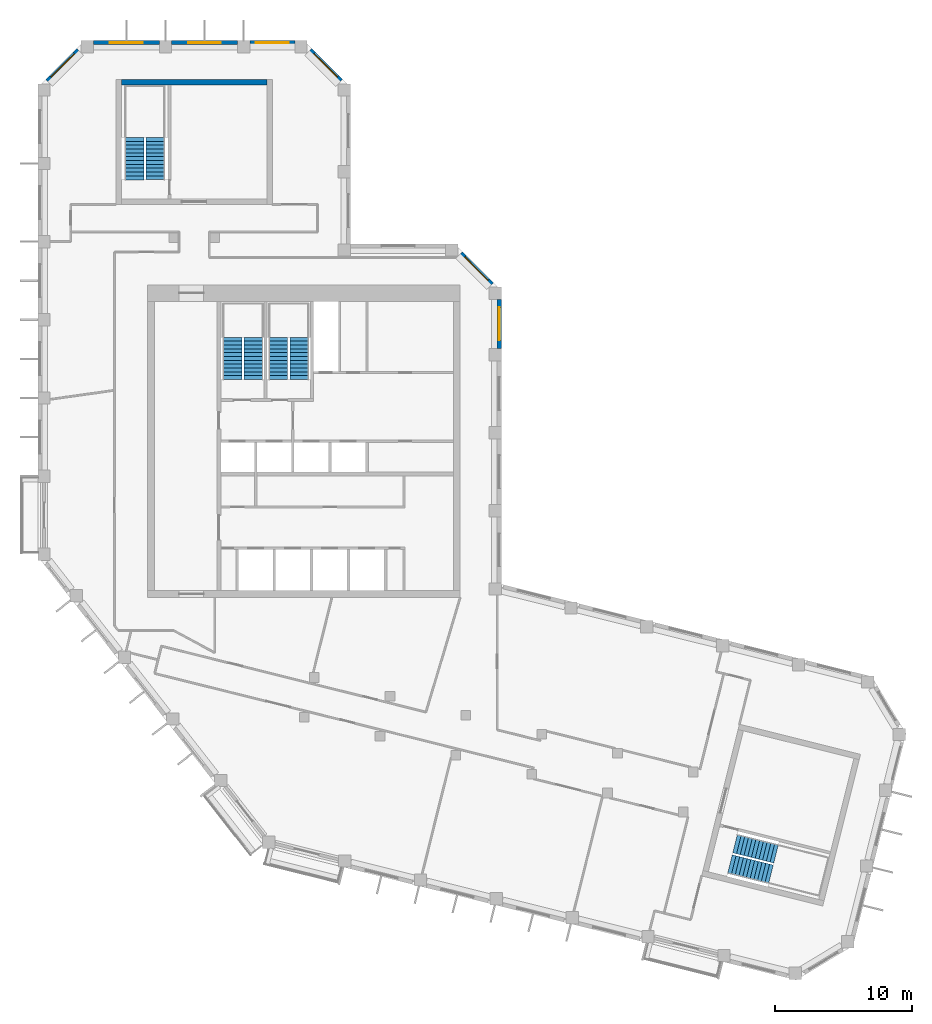
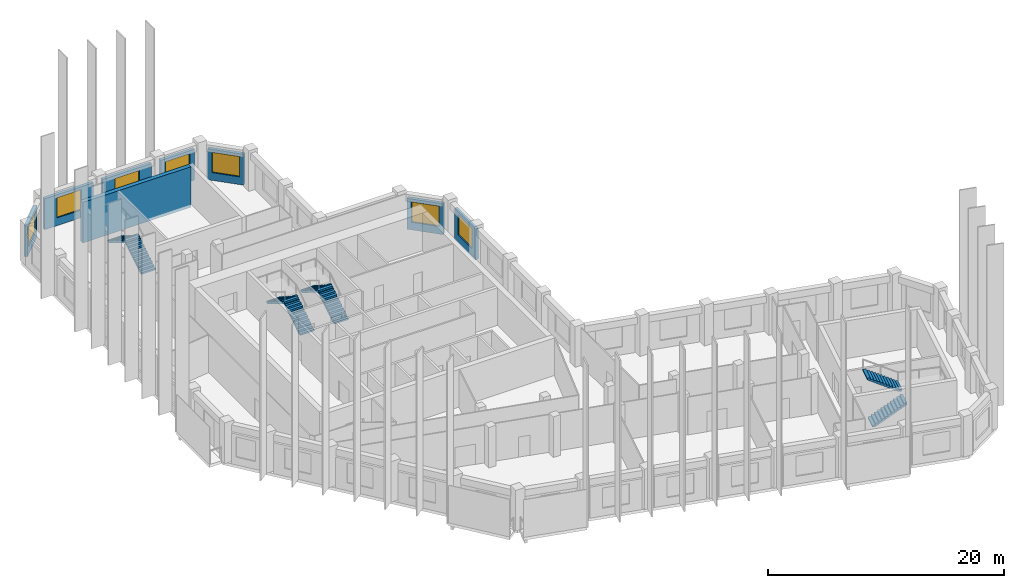
# One storey, part 7 of 8: 8 stair flights, 8 walls, 7 windows, 7 openings, 4 elements without a shape of their own.
"""IFC4 building model written with IfcOpenShell, lengths in metres."""

from ifc_helpers import new_model, si_unit, direction, frame, frame_2d, origin, place, context, subcontext, project, spatial, polyline, rectangle, outline, extrude, material, layer, layer_set, type_object, element, fill, aggregate, save


model = new_model("IFC4")

# Units and contexts
model_context = context("Model", 3, precision=1e-05, world=origin(), true_north=direction((0.0, 1.0)))
body_context = subcontext(model_context, "Body", "Model", "MODEL_VIEW")
ifc_project = project(units=[si_unit("LENGTHUNIT", "METRE"), si_unit("AREAUNIT", "SQUARE_METRE"), si_unit("VOLUMEUNIT", "CUBIC_METRE"), si_unit("PLANEANGLEUNIT", "RADIAN"), si_unit("MASSUNIT", "GRAM", prefix="KILO")], contexts=[model_context])

# Site, building, storey
site_placement = place(None, origin())
site = spatial("IfcSite", under=ifc_project, at=site_placement, CompositionType="ELEMENT")
building_placement = place(site_placement, origin())
building = spatial("IfcBuilding", under=site, at=building_placement, Name="Meshkara Civic Tower", CompositionType="ELEMENT")
storey_placement = place(building_placement, frame((0.0, 0.0, 354.0)))
storey = spatial("IfcBuildingStorey", under=building, at=storey_placement, Name="L81", CompositionType="ELEMENT", Elevation=354.0)

# Wall, opening, window
ifc_material_1 = material(Name="Insulated infill panel with bronze anodised aluminium cladding", Category="aluminium")
ifc_layer_1 = layer(ifc_material_1, 0.300048828125)
ifc_layer_set_1 = layer_set([ifc_layer_1], Name="EXTERNAL INFILL WALL 300")
wall_type_1 = type_object("IfcWallType", Name="EXTERNAL INFILL WALL 300", PredefinedType="SOLIDWALL", material=ifc_layer_set_1)
wall_1_placement = place(storey_placement, frame((33.64990234375, 32.26904296875, 0.0), z_axis=(0.0, 0.0, 1.0), x_axis=(0.0, 1.0, 0.0)))
wall_1 = element("IfcWall", 1, at=wall_1_placement, inside=storey, type_object=wall_type_1, Name="External wall", PredefinedType="SOLIDWALL", context=body_context, shape_type="SweptSolid", body=[
    extrude(rectangle(XDim=3.574951171875, YDim=0.300048828125, at=frame_2d((1.78759765625, 0.0))), origin(), (0.0, 0.0, 1.0), 3.199951171875),
])
opening_1_placement = place(wall_1_placement, frame((0.587890625, 0.0, 0.800048828125)))
opening_1 = element("IfcOpeningElement", 2, at=opening_1_placement, cuts=wall_1, Name="Opening W7", PredefinedType="OPENING", context=body_context, shape_type="SweptSolid", body=[
    extrude(rectangle(XDim=2.39990234375, YDim=2.10009765625, at=frame_2d((1.199951171875, 1.050048828125))), frame((0.0, 0.159912109375, 0.0), z_axis=(0.0, -1.0, 0.0), x_axis=(1.0, 0.0, 0.0)), (0.0, 0.0, 1.0), 0.320068359375),
])
ifc_material_2 = material(Name="Tinted double glazing", Category="glass")
window_type = type_object("IfcWindowType", Name="WINDOW 2400x2100", PartitioningType="DOUBLE_PANEL_VERTICAL", PredefinedType="WINDOW", material=ifc_material_2)
window_1_placement = place(opening_1_placement, origin())
window_1 = element("IfcWindow", 3, at=window_1_placement, inside=storey, type_object=window_type, Name="Window", OverallHeight=2.10009765625, OverallWidth=2.39990234375, PartitioningType="DOUBLE_PANEL_VERTICAL", PredefinedType="WINDOW", context=body_context, shape_type="SweptSolid", body=[
    extrude(rectangle(XDim=2.39990234375, YDim=2.10009765625, at=frame_2d((1.199951171875, 1.050048828125))), frame((0.0, 0.030029296875, 0.0), z_axis=(0.0, -1.0, 0.0), x_axis=(1.0, 0.0, 0.0)), (0.0, 0.0, 1.0), 0.06005859375),
])
fill(opening_1, window_1)

wall_2_placement = place(storey_placement, frame((33.112060546875, 36.9560546875, 0.0), z_axis=(0.0, 0.0, 1.0), x_axis=(-0.707145041435, 0.707068518868, 0.0)))
wall_2 = element("IfcWall", 4, at=wall_2_placement, inside=storey, type_object=wall_type_1, Name="External wall", PredefinedType="SOLIDWALL", context=body_context, shape_type="SweptSolid", body=[
    extrude(rectangle(XDim=3.1904296875, YDim=0.300048828125, at=frame_2d((1.59521484375, 0.0))), origin(), (0.0, 0.0, 1.0), 3.199951171875),
])
opening_2_placement = place(wall_2_placement, frame((0.39501953125, 0.0, 0.800048828125)))
opening_2 = element("IfcOpeningElement", 5, at=opening_2_placement, cuts=wall_2, Name="Opening W7", PredefinedType="OPENING", context=body_context, shape_type="SweptSolid", body=[
    extrude(rectangle(XDim=2.39990234375, YDim=2.10009765625, at=frame_2d((1.199951171875, 1.050048828125))), frame((0.0, 0.159912109375, 0.0), z_axis=(0.0, -1.0, 0.0), x_axis=(1.0, 0.0, 0.0)), (0.0, 0.0, 1.0), 0.320068359375),
])
window_2_placement = place(opening_2_placement, origin())
window_2 = element("IfcWindow", 6, at=window_2_placement, inside=storey, type_object=window_type, Name="Window", OverallHeight=2.10009765625, OverallWidth=2.39990234375, PartitioningType="DOUBLE_PANEL_VERTICAL", PredefinedType="WINDOW", context=body_context, shape_type="SweptSolid", body=[
    extrude(rectangle(XDim=2.39990234375, YDim=2.10009765625, at=frame_2d((1.199951171875, 1.050048828125))), frame((0.0, 0.030029296875, 0.0), z_axis=(0.0, -1.0, 0.0), x_axis=(1.0, 0.0, 0.0)), (0.0, 0.0, 1.0), 0.06005859375),
])
fill(opening_2, window_2)

wall_3_placement = place(storey_placement, frame((22.112060546875, 51.77587890625, 0.0), z_axis=(0.0, 0.0, 1.0), x_axis=(-0.707106781187, 0.707106781187, 0.0)))
wall_3 = element("IfcWall", 7, at=wall_3_placement, inside=storey, type_object=wall_type_1, Name="External wall", PredefinedType="SOLIDWALL", context=body_context, shape_type="SweptSolid", body=[
    extrude(rectangle(XDim=3.190673828125, YDim=0.300048828125, at=frame_2d((1.59521484375, 0.0))), origin(), (0.0, 0.0, 1.0), 3.199951171875),
])
opening_3_placement = place(wall_3_placement, frame((0.39501953125, 0.0, 0.800048828125)))
opening_3 = element("IfcOpeningElement", 8, at=opening_3_placement, cuts=wall_3, Name="Opening W7", PredefinedType="OPENING", context=body_context, shape_type="SweptSolid", body=[
    extrude(rectangle(XDim=2.39990234375, YDim=2.10009765625, at=frame_2d((1.199951171875, 1.050048828125))), frame((0.0, 0.159912109375, 0.0), z_axis=(0.0, -1.0, 0.0), x_axis=(1.0, 0.0, 0.0)), (0.0, 0.0, 1.0), 0.320068359375),
])
window_3_placement = place(opening_3_placement, origin())
window_3 = element("IfcWindow", 9, at=window_3_placement, inside=storey, type_object=window_type, Name="Window", OverallHeight=2.10009765625, OverallWidth=2.39990234375, PartitioningType="DOUBLE_PANEL_VERTICAL", PredefinedType="WINDOW", context=body_context, shape_type="SweptSolid", body=[
    extrude(rectangle(XDim=2.39990234375, YDim=2.10009765625, at=frame_2d((1.199951171875, 1.050048828125))), frame((0.0, 0.030029296875, 0.0), z_axis=(0.0, -1.0, 0.0), x_axis=(1.0, 0.0, 0.0)), (0.0, 0.0, 1.0), 0.06005859375),
])
fill(opening_3, window_3)

wall_4_placement = place(storey_placement, frame((18.743896484375, 54.570068359375, 0.0), z_axis=(0.0, 0.0, 1.0), x_axis=(-1.0, 0.0, 0.0)))
wall_4 = element("IfcWall", 10, at=wall_4_placement, inside=storey, type_object=wall_type_1, Name="External wall", PredefinedType="SOLIDWALL", context=body_context, shape_type="SweptSolid", body=[
    extrude(rectangle(XDim=3.287841796875, YDim=0.300048828125, at=frame_2d((1.64404296875, 0.0))), origin(), (0.0, 0.0, 1.0), 3.199951171875),
])
opening_4_placement = place(wall_4_placement, frame((0.444091796875, 0.0, 0.800048828125)))
opening_4 = element("IfcOpeningElement", 11, at=opening_4_placement, cuts=wall_4, Name="Opening W7", PredefinedType="OPENING", context=body_context, shape_type="SweptSolid", body=[
    extrude(rectangle(XDim=2.39990234375, YDim=2.10009765625, at=frame_2d((1.199951171875, 1.050048828125))), frame((0.0, 0.159912109375, 0.0), z_axis=(0.0, -1.0, 0.0), x_axis=(1.0, 0.0, 0.0)), (0.0, 0.0, 1.0), 0.320068359375),
])
window_4_placement = place(opening_4_placement, origin())
window_4 = element("IfcWindow", 12, at=window_4_placement, inside=storey, type_object=window_type, Name="Window", OverallHeight=2.10009765625, OverallWidth=2.39990234375, PartitioningType="DOUBLE_PANEL_VERTICAL", PredefinedType="WINDOW", context=body_context, shape_type="SweptSolid", body=[
    extrude(rectangle(XDim=2.39990234375, YDim=2.10009765625, at=frame_2d((1.199951171875, 1.050048828125))), frame((0.0, 0.030029296875, 0.0), z_axis=(0.0, -1.0, 0.0), x_axis=(1.0, 0.0, 0.0)), (0.0, 0.0, 1.0), 0.06005859375),
])
fill(opening_4, window_4)

wall_5_placement = place(storey_placement, frame((14.555908203125, 54.570068359375, 0.0), z_axis=(0.0, 0.0, 1.0), x_axis=(-1.0, 0.0, 0.0)))
wall_5 = element("IfcWall", 13, at=wall_5_placement, inside=storey, type_object=wall_type_1, Name="External wall", PredefinedType="SOLIDWALL", context=body_context, shape_type="SweptSolid", body=[
    extrude(rectangle(XDim=4.7998046875, YDim=0.300048828125, at=frame_2d((2.39990234375, 0.0))), origin(), (0.0, 0.0, 1.0), 3.199951171875),
])
opening_5_placement = place(wall_5_placement, frame((1.199951171875, 0.0, 0.800048828125)))
opening_5 = element("IfcOpeningElement", 14, at=opening_5_placement, cuts=wall_5, Name="Opening W7", PredefinedType="OPENING", context=body_context, shape_type="SweptSolid", body=[
    extrude(rectangle(XDim=2.39990234375, YDim=2.10009765625, at=frame_2d((1.199951171875, 1.050048828125))), frame((0.0, 0.159912109375, 0.0), z_axis=(0.0, -1.0, 0.0), x_axis=(1.0, 0.0, 0.0)), (0.0, 0.0, 1.0), 0.320068359375),
])
window_5_placement = place(opening_5_placement, origin())
window_5 = element("IfcWindow", 15, at=window_5_placement, inside=storey, type_object=window_type, Name="Window", OverallHeight=2.10009765625, OverallWidth=2.39990234375, PartitioningType="DOUBLE_PANEL_VERTICAL", PredefinedType="WINDOW", context=body_context, shape_type="SweptSolid", body=[
    extrude(rectangle(XDim=2.39990234375, YDim=2.10009765625, at=frame_2d((1.199951171875, 1.050048828125))), frame((0.0, 0.030029296875, 0.0), z_axis=(0.0, -1.0, 0.0), x_axis=(1.0, 0.0, 0.0)), (0.0, 0.0, 1.0), 0.06005859375),
])
fill(opening_5, window_5)

wall_6_placement = place(storey_placement, frame((8.85595703125, 54.570068359375, 0.0), z_axis=(0.0, 0.0, 1.0), x_axis=(-1.0, 0.0, 0.0)))
wall_6 = element("IfcWall", 16, at=wall_6_placement, inside=storey, type_object=wall_type_1, Name="External wall", PredefinedType="SOLIDWALL", context=body_context, shape_type="SweptSolid", body=[
    extrude(rectangle(XDim=4.800048828125, YDim=0.300048828125, at=frame_2d((2.39990234375, 0.0))), origin(), (0.0, 0.0, 1.0), 3.199951171875),
])
opening_6_placement = place(wall_6_placement, frame((1.199951171875, 0.0, 0.800048828125)))
opening_6 = element("IfcOpeningElement", 17, at=opening_6_placement, cuts=wall_6, Name="Opening W7", PredefinedType="OPENING", context=body_context, shape_type="SweptSolid", body=[
    extrude(rectangle(XDim=2.39990234375, YDim=2.10009765625, at=frame_2d((1.199951171875, 1.050048828125))), frame((0.0, 0.159912109375, 0.0), z_axis=(0.0, -1.0, 0.0), x_axis=(1.0, 0.0, 0.0)), (0.0, 0.0, 1.0), 0.320068359375),
])
window_6_placement = place(opening_6_placement, origin())
window_6 = element("IfcWindow", 18, at=window_6_placement, inside=storey, type_object=window_type, Name="Window", OverallHeight=2.10009765625, OverallWidth=2.39990234375, PartitioningType="DOUBLE_PANEL_VERTICAL", PredefinedType="WINDOW", context=body_context, shape_type="SweptSolid", body=[
    extrude(rectangle(XDim=2.39990234375, YDim=2.10009765625, at=frame_2d((1.199951171875, 1.050048828125))), frame((0.0, 0.030029296875, 0.0), z_axis=(0.0, -1.0, 0.0), x_axis=(1.0, 0.0, 0.0)), (0.0, 0.0, 1.0), 0.06005859375),
])
fill(opening_6, window_6)

wall_7_placement = place(storey_placement, frame((2.944091796875, 54.031982421875, 0.0), z_axis=(0.0, 0.0, 1.0), x_axis=(-0.707106781187, -0.707106781187, 0.0)))
wall_7 = element("IfcWall", 19, at=wall_7_placement, inside=storey, type_object=wall_type_1, Name="External wall", PredefinedType="SOLIDWALL", context=body_context, shape_type="SweptSolid", body=[
    extrude(rectangle(XDim=3.190673828125, YDim=0.300048828125, at=frame_2d((1.59521484375, 0.0))), origin(), (0.0, 0.0, 1.0), 3.199951171875),
])
opening_7_placement = place(wall_7_placement, frame((0.39501953125, 0.0, 0.800048828125)))
opening_7 = element("IfcOpeningElement", 20, at=opening_7_placement, cuts=wall_7, Name="Opening W7", PredefinedType="OPENING", context=body_context, shape_type="SweptSolid", body=[
    extrude(rectangle(XDim=2.39990234375, YDim=2.10009765625, at=frame_2d((1.199951171875, 1.050048828125))), frame((0.0, 0.159912109375, 0.0), z_axis=(0.0, -1.0, 0.0), x_axis=(1.0, 0.0, 0.0)), (0.0, 0.0, 1.0), 0.320068359375),
])
window_7_placement = place(opening_7_placement, origin())
window_7 = element("IfcWindow", 21, at=window_7_placement, inside=storey, type_object=window_type, Name="Window", OverallHeight=2.10009765625, OverallWidth=2.39990234375, PartitioningType="DOUBLE_PANEL_VERTICAL", PredefinedType="WINDOW", context=body_context, shape_type="SweptSolid", body=[
    extrude(rectangle(XDim=2.39990234375, YDim=2.10009765625, at=frame_2d((1.199951171875, 1.050048828125))), frame((0.0, 0.030029296875, 0.0), z_axis=(0.0, -1.0, 0.0), x_axis=(1.0, 0.0, 0.0)), (0.0, 0.0, 1.0), 0.06005859375),
])
fill(opening_7, window_7)

# Wall
ifc_material_3 = material(Name="Concrete C50", Category="concrete")
ifc_layer_2 = layer(ifc_material_3, 0.39990234375)
ifc_layer_set_2 = layer_set([ifc_layer_2], Name="End core ring wall 400 C50")
wall_type_2 = type_object("IfcWallType", Name="End core ring wall 400 C50", PredefinedType="SHEAR", material=ifc_layer_set_2)
wall_8_placement = place(storey_placement, frame((6.10009765625, 51.669921875, -0.300048828125), z_axis=(0.0, 0.0, 1.0), x_axis=(1.0, 0.0, 0.0)))
element("IfcWall", 22, at=wall_8_placement, inside=storey, type_object=wall_type_2, Name="L81-C030", PredefinedType="SHEAR", context=body_context, shape_type="SweptSolid", body=[
    extrude(rectangle(XDim=10.599853515625, YDim=0.39990234375, at=frame_2d((5.2998046875, 0.0))), origin(), (0.0, 0.0, 1.0), 4.199951171875),
])

# Stair, stair flights
ifc_material_4 = material(Name="Precast concrete C40/50", Category="concrete")
stair_type = type_object("IfcStairType", Name="Exit stair half-turn 24 risers precast", PredefinedType="HALF_TURN_STAIR", material=ifc_material_4)
stair_1_placement = place(storey_placement, origin())
stair_1 = element("IfcStair", 23, at=stair_1_placement, inside=storey, type_object=stair_type, Name="L81 exit stair 1", PredefinedType="HALF_TURN_STAIR")
ifc_material_5 = material(Name="Precast concrete C40/50", Category="concrete")
stair_flight_type = type_object("IfcStairFlightType", Name="Exit stair flight 12 risers precast", PredefinedType="STRAIGHT", material=ifc_material_5)
stair_flight_1_placement = place(storey_placement, frame((15.72509765625, 30.0, 0.0), z_axis=(0.0, 0.0, 1.0), x_axis=(0.0, 1.0, 0.0)))
stair_flight_1 = element("IfcStairFlight", 24, at=stair_flight_1_placement, type_object=stair_flight_type, Name="ST1 flight 1", NumberOfRisers=12, NumberOfTreads=11, PredefinedType="STRAIGHT", RiserHeight=0.175, TreadLength=0.28, context=body_context, shape_type="SweptSolid", body=[
    extrude(outline(polyline([(0.0, 0.0), (0.0, 0.175048828125), (0.280029296875, 0.175048828125), (0.280029296875, 0.35009765625), (0.56005859375, 0.35009765625), (0.56005859375, 0.52490234375), (0.840087890625, 0.52490234375), (0.840087890625, 0.699951171875), (1.1201171875, 0.699951171875), (1.1201171875, 0.875), (1.39990234375, 0.875), (1.39990234375, 1.050048828125), (1.679931640625, 1.050048828125), (1.679931640625, 1.22509765625), (1.9599609375, 1.22509765625), (1.9599609375, 1.39990234375), (2.239990234375, 1.39990234375), (2.239990234375, 1.574951171875), (2.52001953125, 1.574951171875), (2.52001953125, 1.75), (2.800048828125, 1.75), (2.800048828125, 1.925048828125), (3.080078125, 1.925048828125), (3.080078125, 2.10009765625), (3.080078125, 1.748291015625), (0.28271484375, 0.0), (0.0, 0.0)])), frame((0.0, 0.699951171875, 0.0), z_axis=(0.0, -1.0, 0.0), x_axis=(1.0, 0.0, 0.0)), (0.0, 0.0, 1.0), 1.39990234375),
])
stair_flight_2_placement = place(storey_placement, frame((14.175048828125, 33.080078125, 2.10009765625), z_axis=(0.0, 0.0, 1.0), x_axis=(0.0, -1.0, 0.0)))
stair_flight_2 = element("IfcStairFlight", 25, at=stair_flight_2_placement, type_object=stair_flight_type, Name="ST1 flight 2", NumberOfRisers=12, NumberOfTreads=11, PredefinedType="STRAIGHT", RiserHeight=0.175, TreadLength=0.28, context=body_context, shape_type="SweptSolid", body=[
    extrude(outline(polyline([(0.0, 0.0), (0.0, 0.175048828125), (0.280029296875, 0.175048828125), (0.280029296875, 0.35009765625), (0.56005859375, 0.35009765625), (0.56005859375, 0.52490234375), (0.840087890625, 0.52490234375), (0.840087890625, 0.699951171875), (1.1201171875, 0.699951171875), (1.1201171875, 0.875), (1.39990234375, 0.875), (1.39990234375, 1.050048828125), (1.679931640625, 1.050048828125), (1.679931640625, 1.22509765625), (1.9599609375, 1.22509765625), (1.9599609375, 1.39990234375), (2.239990234375, 1.39990234375), (2.239990234375, 1.574951171875), (2.52001953125, 1.574951171875), (2.52001953125, 1.75), (2.800048828125, 1.75), (2.800048828125, 1.925048828125), (3.080078125, 1.925048828125), (3.080078125, 2.10009765625), (3.080078125, 1.748291015625), (0.28271484375, 0.0), (0.0, 0.0)])), frame((0.0, 0.699951171875, 0.0), z_axis=(0.0, -1.0, 0.0), x_axis=(1.0, 0.0, 0.0)), (0.0, 0.0, 1.0), 1.39990234375),
])
aggregate(stair_1, [stair_flight_1, stair_flight_2])

stair_2_placement = place(storey_placement, origin())
stair_2 = element("IfcStair", 26, at=stair_2_placement, inside=storey, type_object=stair_type, Name="L81 exit stair 2", PredefinedType="HALF_TURN_STAIR")
stair_flight_3_placement = place(storey_placement, frame((19.074951171875, 30.0, 0.0), z_axis=(0.0, 0.0, 1.0), x_axis=(0.0, 1.0, 0.0)))
stair_flight_3 = element("IfcStairFlight", 27, at=stair_flight_3_placement, type_object=stair_flight_type, Name="ST2 flight 1", NumberOfRisers=12, NumberOfTreads=11, PredefinedType="STRAIGHT", RiserHeight=0.175, TreadLength=0.28, context=body_context, shape_type="SweptSolid", body=[
    extrude(outline(polyline([(0.0, 0.0), (0.0, 0.175048828125), (0.280029296875, 0.175048828125), (0.280029296875, 0.35009765625), (0.56005859375, 0.35009765625), (0.56005859375, 0.52490234375), (0.840087890625, 0.52490234375), (0.840087890625, 0.699951171875), (1.1201171875, 0.699951171875), (1.1201171875, 0.875), (1.39990234375, 0.875), (1.39990234375, 1.050048828125), (1.679931640625, 1.050048828125), (1.679931640625, 1.22509765625), (1.9599609375, 1.22509765625), (1.9599609375, 1.39990234375), (2.239990234375, 1.39990234375), (2.239990234375, 1.574951171875), (2.52001953125, 1.574951171875), (2.52001953125, 1.75), (2.800048828125, 1.75), (2.800048828125, 1.925048828125), (3.080078125, 1.925048828125), (3.080078125, 2.10009765625), (3.080078125, 1.748291015625), (0.28271484375, 0.0), (0.0, 0.0)])), frame((0.0, 0.699951171875, 0.0), z_axis=(0.0, -1.0, 0.0), x_axis=(1.0, 0.0, 0.0)), (0.0, 0.0, 1.0), 1.39990234375),
])
stair_flight_4_placement = place(storey_placement, frame((17.52490234375, 33.080078125, 2.10009765625), z_axis=(0.0, 0.0, 1.0), x_axis=(0.0, -1.0, 0.0)))
stair_flight_4 = element("IfcStairFlight", 28, at=stair_flight_4_placement, type_object=stair_flight_type, Name="ST2 flight 2", NumberOfRisers=12, NumberOfTreads=11, PredefinedType="STRAIGHT", RiserHeight=0.175, TreadLength=0.28, context=body_context, shape_type="SweptSolid", body=[
    extrude(outline(polyline([(0.0, 0.0), (0.0, 0.175048828125), (0.280029296875, 0.175048828125), (0.280029296875, 0.35009765625), (0.56005859375, 0.35009765625), (0.56005859375, 0.52490234375), (0.840087890625, 0.52490234375), (0.840087890625, 0.699951171875), (1.1201171875, 0.699951171875), (1.1201171875, 0.875), (1.39990234375, 0.875), (1.39990234375, 1.050048828125), (1.679931640625, 1.050048828125), (1.679931640625, 1.22509765625), (1.9599609375, 1.22509765625), (1.9599609375, 1.39990234375), (2.239990234375, 1.39990234375), (2.239990234375, 1.574951171875), (2.52001953125, 1.574951171875), (2.52001953125, 1.75), (2.800048828125, 1.75), (2.800048828125, 1.925048828125), (3.080078125, 1.925048828125), (3.080078125, 2.10009765625), (3.080078125, 1.748291015625), (0.28271484375, 0.0), (0.0, 0.0)])), frame((0.0, 0.699951171875, 0.0), z_axis=(0.0, -1.0, 0.0), x_axis=(1.0, 0.0, 0.0)), (0.0, 0.0, 1.0), 1.39990234375),
])
aggregate(stair_2, [stair_flight_3, stair_flight_4])

stair_3_placement = place(storey_placement, origin())
stair_3 = element("IfcStair", 29, at=stair_3_placement, inside=storey, type_object=stair_type, Name="L81 exit stair A from L80", PredefinedType="HALF_TURN_STAIR")
stair_flight_5_placement = place(storey_placement, frame((8.574951171875, 44.570068359375, 0.0), z_axis=(0.0, 0.0, 1.0), x_axis=(0.0, 1.0, 0.0)))
stair_flight_5 = element("IfcStairFlight", 30, at=stair_flight_5_placement, type_object=stair_flight_type, Name="ESA6 flight 1", NumberOfRisers=12, NumberOfTreads=11, PredefinedType="STRAIGHT", RiserHeight=0.175, TreadLength=0.28, context=body_context, shape_type="SweptSolid", body=[
    extrude(outline(polyline([(0.0, 0.0), (0.0, 0.175048828125), (0.280029296875, 0.175048828125), (0.280029296875, 0.35009765625), (0.56005859375, 0.35009765625), (0.56005859375, 0.52490234375), (0.840087890625, 0.52490234375), (0.840087890625, 0.699951171875), (1.1201171875, 0.699951171875), (1.1201171875, 0.875), (1.39990234375, 0.875), (1.39990234375, 1.050048828125), (1.679931640625, 1.050048828125), (1.679931640625, 1.22509765625), (1.9599609375, 1.22509765625), (1.9599609375, 1.39990234375), (2.239990234375, 1.39990234375), (2.239990234375, 1.574951171875), (2.52001953125, 1.574951171875), (2.52001953125, 1.75), (2.800048828125, 1.75), (2.800048828125, 1.925048828125), (3.080078125, 1.925048828125), (3.080078125, 2.10009765625), (3.080078125, 1.748291015625), (0.28271484375, 0.0), (0.0, 0.0)])), frame((0.0, 0.699951171875, 0.0), z_axis=(0.0, -1.0, 0.0), x_axis=(1.0, 0.0, 0.0)), (0.0, 0.0, 1.0), 1.39990234375),
])
stair_flight_6_placement = place(storey_placement, frame((7.02490234375, 47.64990234375, 2.10009765625), z_axis=(0.0, 0.0, 1.0), x_axis=(0.0, -1.0, 0.0)))
stair_flight_6 = element("IfcStairFlight", 31, at=stair_flight_6_placement, type_object=stair_flight_type, Name="ESA6 flight 2", NumberOfRisers=12, NumberOfTreads=11, PredefinedType="STRAIGHT", RiserHeight=0.175, TreadLength=0.28, context=body_context, shape_type="SweptSolid", body=[
    extrude(outline(polyline([(0.0, 0.0), (0.0, 0.175048828125), (0.280029296875, 0.175048828125), (0.280029296875, 0.35009765625), (0.56005859375, 0.35009765625), (0.56005859375, 0.52490234375), (0.840087890625, 0.52490234375), (0.840087890625, 0.699951171875), (1.1201171875, 0.699951171875), (1.1201171875, 0.875), (1.39990234375, 0.875), (1.39990234375, 1.050048828125), (1.679931640625, 1.050048828125), (1.679931640625, 1.22509765625), (1.9599609375, 1.22509765625), (1.9599609375, 1.39990234375), (2.239990234375, 1.39990234375), (2.239990234375, 1.574951171875), (2.52001953125, 1.574951171875), (2.52001953125, 1.75), (2.800048828125, 1.75), (2.800048828125, 1.925048828125), (3.080078125, 1.925048828125), (3.080078125, 2.10009765625), (3.080078125, 1.748291015625), (0.28271484375, 0.0), (0.0, 0.0)])), frame((0.0, 0.699951171875, 0.0), z_axis=(0.0, -1.0, 0.0), x_axis=(1.0, 0.0, 0.0)), (0.0, 0.0, 1.0), 1.39990234375),
])
aggregate(stair_3, [stair_flight_5, stair_flight_6])

stair_4_placement = place(storey_placement, origin())
stair_4 = element("IfcStair", 32, at=stair_4_placement, inside=storey, type_object=stair_type, Name="L81 exit stair B from L80", PredefinedType="HALF_TURN_STAIR")
stair_flight_7_placement = place(storey_placement, frame((50.47607421875, -5.344482421875, 0.0), z_axis=(0.0, 0.0, 1.0), x_axis=(0.9703185901, -0.241830175344, 0.0)))
stair_flight_7 = element("IfcStairFlight", 33, at=stair_flight_7_placement, type_object=stair_flight_type, Name="ESB6 flight 1", NumberOfRisers=12, NumberOfTreads=11, PredefinedType="STRAIGHT", RiserHeight=0.175, TreadLength=0.28, context=body_context, shape_type="SweptSolid", body=[
    extrude(outline(polyline([(0.0, 0.0), (0.0, 0.175048828125), (0.280029296875, 0.175048828125), (0.280029296875, 0.35009765625), (0.56005859375, 0.35009765625), (0.56005859375, 0.52490234375), (0.840087890625, 0.52490234375), (0.840087890625, 0.699951171875), (1.1201171875, 0.699951171875), (1.1201171875, 0.875), (1.39990234375, 0.875), (1.39990234375, 1.050048828125), (1.679931640625, 1.050048828125), (1.679931640625, 1.22509765625), (1.9599609375, 1.22509765625), (1.9599609375, 1.39990234375), (2.239990234375, 1.39990234375), (2.239990234375, 1.574951171875), (2.52001953125, 1.574951171875), (2.52001953125, 1.75), (2.800048828125, 1.75), (2.800048828125, 1.925048828125), (3.080078125, 1.925048828125), (3.080078125, 2.10009765625), (3.080078125, 1.748291015625), (0.28271484375, 0.0), (0.0, 0.0)])), frame((0.0, 0.699951171875, 0.0), z_axis=(0.0, -1.0, 0.0), x_axis=(1.0, 0.0, 0.0)), (0.0, 0.0, 1.0), 1.39990234375),
])
stair_flight_8_placement = place(storey_placement, frame((53.83935546875, -4.58544921875, 2.10009765625), z_axis=(0.0, 0.0, 1.0), x_axis=(-0.9703185901, 0.241830175344, 0.0)))
stair_flight_8 = element("IfcStairFlight", 34, at=stair_flight_8_placement, type_object=stair_flight_type, Name="ESB6 flight 2", NumberOfRisers=12, NumberOfTreads=11, PredefinedType="STRAIGHT", RiserHeight=0.175, TreadLength=0.28, context=body_context, shape_type="SweptSolid", body=[
    extrude(outline(polyline([(0.0, 0.0), (0.0, 0.175048828125), (0.280029296875, 0.175048828125), (0.280029296875, 0.35009765625), (0.56005859375, 0.35009765625), (0.56005859375, 0.52490234375), (0.840087890625, 0.52490234375), (0.840087890625, 0.699951171875), (1.1201171875, 0.699951171875), (1.1201171875, 0.875), (1.39990234375, 0.875), (1.39990234375, 1.050048828125), (1.679931640625, 1.050048828125), (1.679931640625, 1.22509765625), (1.9599609375, 1.22509765625), (1.9599609375, 1.39990234375), (2.239990234375, 1.39990234375), (2.239990234375, 1.574951171875), (2.52001953125, 1.574951171875), (2.52001953125, 1.75), (2.800048828125, 1.75), (2.800048828125, 1.925048828125), (3.080078125, 1.925048828125), (3.080078125, 2.10009765625), (3.080078125, 1.748291015625), (0.28271484375, 0.0), (0.0, 0.0)])), frame((0.0, 0.699951171875, 0.0), z_axis=(0.0, -1.0, 0.0), x_axis=(1.0, 0.0, 0.0)), (0.0, 0.0, 1.0), 1.39990234375),
])
aggregate(stair_4, [stair_flight_7, stair_flight_8])

save(model, "model.ifc")
